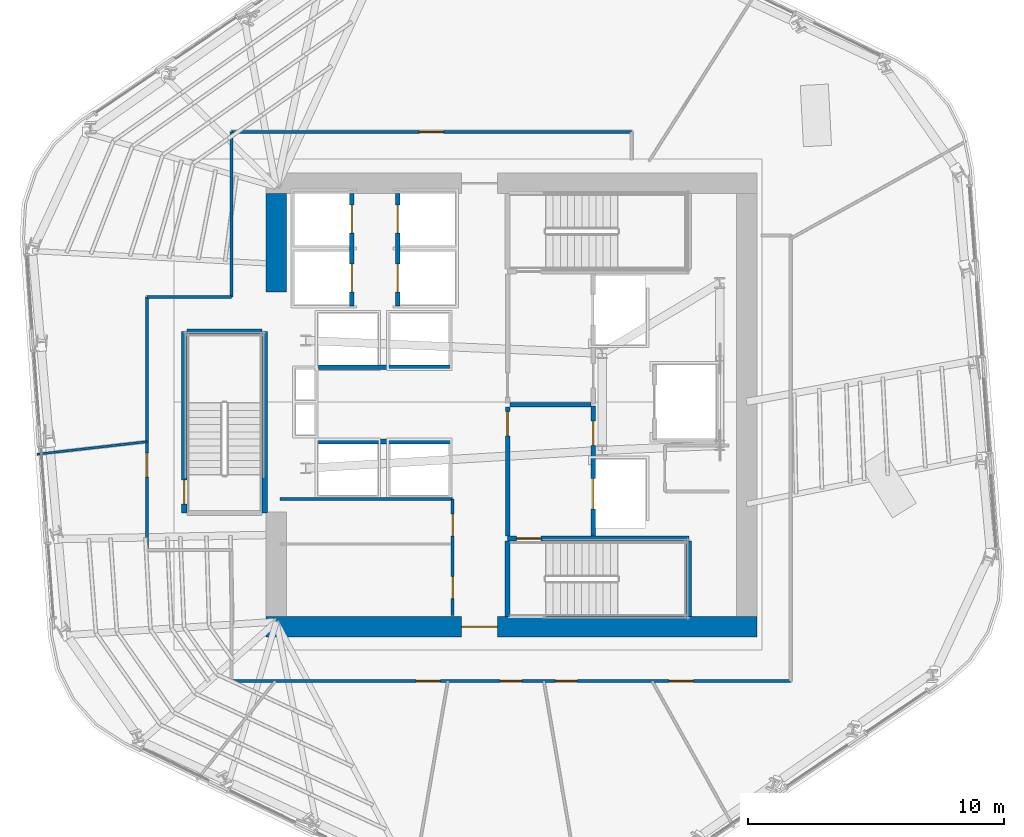
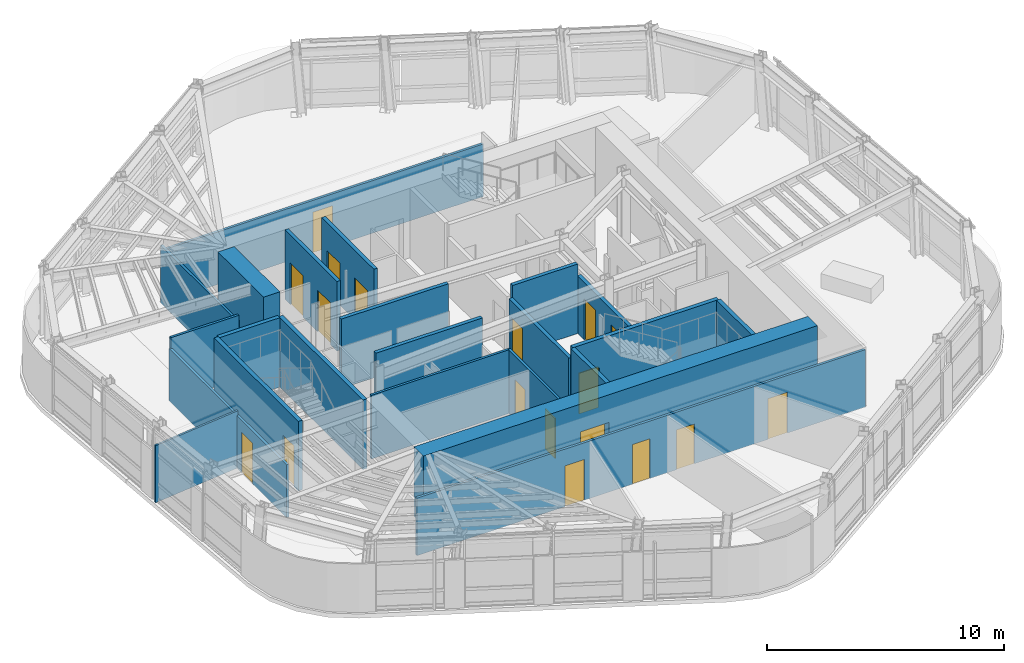
# One storey, part 8 of 15: 23 walls, 18 doors, 18 openings.
"""IFC4 building model written with IfcOpenShell, lengths in metres."""

from ifc_helpers import new_model, si_unit, direction, frame, frame_2d, origin, place, context, subcontext, project, spatial, rectangle, extrude, material, layer, layer_set, type_object, element, fill, save


model = new_model("IFC4")

# Units and contexts
model_context = context("Model", 3, precision=1e-05, world=origin(), true_north=direction((0.0, 1.0)))
body_context = subcontext(model_context, "Body", "Model", "MODEL_VIEW")
ifc_project = project(units=[si_unit("LENGTHUNIT", "METRE"), si_unit("AREAUNIT", "SQUARE_METRE"), si_unit("VOLUMEUNIT", "CUBIC_METRE"), si_unit("PLANEANGLEUNIT", "RADIAN"), si_unit("MASSUNIT", "GRAM", prefix="KILO")], contexts=[model_context])

# Site, building, storey
site_placement = place(None, origin())
site = spatial("IfcSite", under=ifc_project, at=site_placement, CompositionType="ELEMENT")
building_placement = place(site_placement, origin())
building = spatial("IfcBuilding", under=site, at=building_placement, Name="Valkerne Bourse Tower", CompositionType="ELEMENT")
storey_placement = place(building_placement, frame((0.0, 0.0, 170.39990234375)))
storey = spatial("IfcBuildingStorey", under=building, at=storey_placement, Name="L43", CompositionType="ELEMENT", Elevation=170.39990234375)

# Wall, opening, door
ifc_material_1 = material(Name="Concrete C55/67", Category="concrete")
ifc_layer_1 = layer(ifc_material_1, 0.800048828125)
ifc_layer_set_1 = layer_set([ifc_layer_1], Name="Concrete C55/67")
wall_type_1 = type_object("IfcWallType", Name="W-CORE-800", PredefinedType="SHEAR", material=ifc_layer_set_1)
wall_1_placement = place(storey_placement, frame((37.199951171875, 18.199951171875, 0.0), z_axis=(0.0, 0.0, 1.0), x_axis=(1.0, 0.0, 0.0)))
wall_1 = element("IfcWall", 1, at=wall_1_placement, inside=storey, type_object=wall_type_1, Name="L43 Core Shear Wall SOUTH", PredefinedType="SHEAR", context=body_context, shape_type="SweptSolid", body=[
    extrude(rectangle(XDim=19.199951171875, YDim=0.800048828125, at=frame_2d((9.60009765625, 0.0))), origin(), (0.0, 0.0, 1.0), 3.580078125),
])
opening_1_placement = place(wall_1_placement, frame((7.64990234375, 0.0, 0.0)))
opening_1 = element("IfcOpeningElement", 2, at=opening_1_placement, cuts=wall_1, Name="Opening D-PL-1400", PredefinedType="OPENING", context=body_context, shape_type="SweptSolid", body=[
    extrude(rectangle(XDim=1.39990234375, YDim=2.14990234375, at=frame_2d((0.699951171875, 1.074951171875))), frame((0.0, 0.409912109375, 0.0), z_axis=(0.0, -1.0, 0.0), x_axis=(1.0, 0.0, 0.0)), (0.0, 0.0, 1.0), 0.820068359375),
])
ifc_material_2 = material(Name="Galvanised Painted Steel", Category="steel")
door_type_1 = type_object("IfcDoorType", Name="DR-PLT-1400", OperationType="DOUBLE_DOOR_SINGLE_SWING", PredefinedType="DOOR", material=ifc_material_2)
door_1_placement = place(opening_1_placement, origin())
door_1 = element("IfcDoor", 3, at=door_1_placement, inside=storey, type_object=door_type_1, Name="L43 South Passenger Lift Hall Fire Door", OperationType="DOUBLE_DOOR_SINGLE_SWING", OverallHeight=2.14990234375, OverallWidth=1.39990234375, PredefinedType="DOOR", context=body_context, shape_type="SweptSolid", body=[
    extrude(rectangle(XDim=1.39990234375, YDim=2.14990234375, at=frame_2d((0.699951171875, 1.074951171875))), frame((0.0, 0.02490234375, 0.0), z_axis=(0.0, -1.0, 0.0), x_axis=(1.0, 0.0, 0.0)), (0.0, 0.0, 1.0), 0.050048828125),
])
fill(opening_1, door_1)

# Wall
wall_2_placement = place(storey_placement, frame((37.60009765625, 31.300048828125, 0.0), z_axis=(0.0, 0.0, 1.0), x_axis=(0.0, 1.0, 0.0)))
element("IfcWall", 4, at=wall_2_placement, inside=storey, type_object=wall_type_1, Name="L43 Core Shear Wall WEST-N", PredefinedType="SHEAR", context=body_context, shape_type="SweptSolid", body=[
    extrude(rectangle(XDim=3.849853515625, YDim=0.800048828125, at=frame_2d((1.9248046875, 0.0))), origin(), (0.0, 0.0, 1.0), 3.580078125),
])

# Wall, openings, doors
ifc_material_3 = material(Name="Gypsum Board Steel-Stud Partition", Category="steel")
ifc_layer_2 = layer(ifc_material_3, 0.117919921875)
ifc_layer_set_2 = layer_set([ifc_layer_2], Name="Gypsum Board Steel-Stud Partition")
wall_type_2 = type_object("IfcWallType", Name="W-CORR-140", PredefinedType="PARTITIONING", material=ifc_layer_set_2)
wall_3_placement = place(storey_placement, frame((44.5, 18.64990234375, 0.0), z_axis=(0.0, 0.0, 1.0), x_axis=(0.0, 1.0, 0.0)))
wall_3 = element("IfcWall", 5, at=wall_3_placement, inside=storey, type_object=wall_type_2, Name="L43 LV7 Low-Bank East Wall", PredefinedType="PARTITIONING", context=body_context, shape_type="SweptSolid", body=[
    extrude(rectangle(XDim=4.550048828125, YDim=0.117919921875, at=frame_2d((2.27490234375, 0.0))), origin(), (0.0, 0.0, 1.0), 3.280029296875),
])
opening_2_placement = place(wall_3_placement, frame((0.64990234375, 0.0, 0.0)))
opening_2 = element("IfcOpeningElement", 6, at=opening_2_placement, cuts=wall_3, Name="Opening D-WC-900", PredefinedType="OPENING", context=body_context, shape_type="SweptSolid", body=[
    extrude(rectangle(XDim=0.860107421875, YDim=2.050048828125, at=frame_2d((0.43017578125, 1.02490234375))), frame((0.0, 0.06884765625, 0.0), z_axis=(0.0, -1.0, 0.0), x_axis=(1.0, 0.0, 0.0)), (0.0, 0.0, 1.0), 0.137939453125),
])
opening_3_placement = place(wall_3_placement, frame((3.10009765625, 0.0, 0.0)))
opening_3 = element("IfcOpeningElement", 7, at=opening_3_placement, cuts=wall_3, Name="Opening D-WC-900", PredefinedType="OPENING", context=body_context, shape_type="SweptSolid", body=[
    extrude(rectangle(XDim=0.860107421875, YDim=2.050048828125, at=frame_2d((0.43017578125, 1.02490234375))), frame((0.0, 0.06884765625, 0.0), z_axis=(0.0, -1.0, 0.0), x_axis=(1.0, 0.0, 0.0)), (0.0, 0.0, 1.0), 0.137939453125),
])
ifc_material_4 = material(Name="Architectural White Oak Timber", Category="wood")
door_type_2 = type_object("IfcDoorType", Name="DR-WC-900", OperationType="NOTDEFINED", PredefinedType="DOOR", material=ifc_material_4)
door_2_placement = place(opening_2_placement, origin())
door_2 = element("IfcDoor", 8, at=door_2_placement, inside=storey, type_object=door_type_2, Name="L43 Reprographics Office Door", OperationType="SINGLE_SWING_RIGHT", OverallHeight=2.050048828125, OverallWidth=0.860107421875, PredefinedType="DOOR", context=body_context, shape_type="SweptSolid", body=[
    extrude(rectangle(XDim=0.860107421875, YDim=2.050048828125, at=frame_2d((0.43017578125, 1.02490234375))), frame((0.0, 0.02490234375, 0.0), z_axis=(0.0, -1.0, 0.0), x_axis=(1.0, 0.0, 0.0)), (0.0, 0.0, 1.0), 0.050048828125),
])
fill(opening_2, door_2)
door_3_placement = place(opening_3_placement, origin())
door_3 = element("IfcDoor", 9, at=door_3_placement, inside=storey, type_object=door_type_2, Name="L43 First Aid Clinic Door", OperationType="SINGLE_SWING_RIGHT", OverallHeight=2.050048828125, OverallWidth=0.860107421875, PredefinedType="DOOR", context=body_context, shape_type="SweptSolid", body=[
    extrude(rectangle(XDim=0.860107421875, YDim=2.050048828125, at=frame_2d((0.43017578125, 1.02490234375))), frame((0.0, 0.02490234375, 0.0), z_axis=(0.0, -1.0, 0.0), x_axis=(1.0, 0.0, 0.0)), (0.0, 0.0, 1.0), 0.050048828125),
])
fill(opening_3, door_3)

# Wall
wall_4_placement = place(storey_placement, frame((37.75, 23.199951171875, 0.0), z_axis=(0.0, 0.0, 1.0), x_axis=(1.0, 0.0, 0.0)))
element("IfcWall", 10, at=wall_4_placement, inside=storey, type_object=wall_type_2, Name="L43 LV7 Low-Bank North Wall", PredefinedType="PARTITIONING", context=body_context, shape_type="SweptSolid", body=[
    extrude(rectangle(XDim=6.75, YDim=0.117919921875, at=frame_2d((3.375, 0.0))), origin(), (0.0, 0.0, 1.0), 3.280029296875),
])

# Wall, opening, door
wall_5_placement = place(storey_placement, frame((32.550048828125, 21.199951171875, 0.0), z_axis=(0.0, 0.0, 1.0), x_axis=(0.0, 1.0, 0.0)))
wall_5 = element("IfcWall", 11, at=wall_5_placement, inside=storey, type_object=wall_type_2, Name="L43 Corridor Enclosure Wall", PredefinedType="PARTITIONING", context=body_context, shape_type="SweptSolid", body=[
    extrude(rectangle(XDim=9.900146484375, YDim=0.117919921875, at=frame_2d((4.9501953125, 0.0))), origin(), (0.0, 0.0, 1.0), 2.711669921875),
])
opening_4_placement = place(wall_5_placement, frame((2.85498046875, 0.0, 0.0)))
opening_4 = element("IfcOpeningElement", 12, at=opening_4_placement, cuts=wall_5, Name="Opening D-OF-950", PredefinedType="OPENING", context=body_context, shape_type="SweptSolid", body=[
    extrude(rectangle(XDim=0.949951171875, YDim=2.10009765625, at=frame_2d((0.47509765625, 1.050048828125))), frame((0.0, 0.06884765625, 0.0), z_axis=(0.0, -1.0, 0.0), x_axis=(1.0, 0.0, 0.0)), (0.0, 0.0, 1.0), 0.137939453125),
])
door_type_3 = type_object("IfcDoorType", Name="DR-OFF-950", OperationType="NOTDEFINED", PredefinedType="DOOR", material=ifc_material_4)
door_4_placement = place(opening_4_placement, origin())
door_4 = element("IfcDoor", 13, at=door_4_placement, inside=storey, type_object=door_type_3, Name="L43 L43 Hospitality Catering Kitchen 4 Door", OperationType="SINGLE_SWING_LEFT", OverallHeight=2.10009765625, OverallWidth=0.949951171875, PredefinedType="DOOR", context=body_context, shape_type="SweptSolid", body=[
    extrude(rectangle(XDim=0.949951171875, YDim=2.10009765625, at=frame_2d((0.47509765625, 1.050048828125))), frame((0.0, 0.02490234375, 0.0), z_axis=(0.0, -1.0, 0.0), x_axis=(1.0, 0.0, 0.0)), (0.0, 0.0, 1.0), 0.050048828125),
])
fill(opening_4, door_4)

# Walls
wall_6_placement = place(storey_placement, frame((32.550048828125, 31.10009765625, 0.0), z_axis=(0.0, 0.0, 1.0), x_axis=(1.0, 0.0, 0.0)))
element("IfcWall", 14, at=wall_6_placement, inside=storey, type_object=wall_type_2, Name="L43 Corridor Enclosure Wall", PredefinedType="PARTITIONING", context=body_context, shape_type="SweptSolid", body=[
    extrude(rectangle(XDim=3.300048828125, YDim=0.117919921875, at=frame_2d((1.64990234375, 0.0))), origin(), (0.0, 0.0, 1.0), 3.280029296875),
])
wall_7_placement = place(storey_placement, frame((35.85009765625, 31.10009765625, 0.0), z_axis=(0.0, 0.0, 1.0), x_axis=(0.0, 1.0, 0.0)))
element("IfcWall", 15, at=wall_7_placement, inside=storey, type_object=wall_type_2, Name="L43 Corridor Enclosure Wall", PredefinedType="PARTITIONING", context=body_context, shape_type="SweptSolid", body=[
    extrude(rectangle(XDim=6.4599609375, YDim=0.117919921875, at=frame_2d((3.22998046875, 0.0))), origin(), (0.0, 0.0, 1.0), 2.962890625),
])

# Wall, opening, door
wall_8_placement = place(storey_placement, frame((35.85009765625, 37.56005859375, 0.0), z_axis=(0.0, 0.0, 1.0), x_axis=(1.0, 0.0, 0.0)))
wall_8 = element("IfcWall", 16, at=wall_8_placement, inside=storey, type_object=wall_type_2, Name="L43 Corridor Enclosure Wall", PredefinedType="PARTITIONING", context=body_context, shape_type="SweptSolid", body=[
    extrude(rectangle(XDim=15.64990234375, YDim=0.117919921875, at=frame_2d((7.824951171875, 0.0))), origin(), (0.0, 0.0, 1.0), 2.711669921875),
])
opening_5_placement = place(wall_8_placement, frame((7.35009765625, 0.0, 0.0)))
opening_5 = element("IfcOpeningElement", 17, at=opening_5_placement, cuts=wall_8, Name="Opening D-OF-950", PredefinedType="OPENING", context=body_context, shape_type="SweptSolid", body=[
    extrude(rectangle(XDim=0.949951171875, YDim=2.10009765625, at=frame_2d((0.47509765625, 1.050048828125))), frame((0.0, 0.06884765625, 0.0), z_axis=(0.0, -1.0, 0.0), x_axis=(1.0, 0.0, 0.0)), (0.0, 0.0, 1.0), 0.137939453125),
])
door_5_placement = place(opening_5_placement, origin())
door_5 = element("IfcDoor", 18, at=door_5_placement, inside=storey, type_object=door_type_3, Name="L43 L43 Occupational Wellness Clinic 7 Door", OperationType="SINGLE_SWING_RIGHT", OverallHeight=2.10009765625, OverallWidth=0.949951171875, PredefinedType="DOOR", context=body_context, shape_type="SweptSolid", body=[
    extrude(rectangle(XDim=0.949951171875, YDim=2.10009765625, at=frame_2d((0.47509765625, 1.050048828125))), frame((0.0, 0.02490234375, 0.0), z_axis=(0.0, -1.0, 0.0), x_axis=(1.0, 0.0, 0.0)), (0.0, 0.0, 1.0), 0.050048828125),
])
fill(opening_5, door_5)

# Wall, openings, doors
wall_9_placement = place(storey_placement, frame((57.719970703125, 16.080078125, 0.0), z_axis=(0.0, 0.0, 1.0), x_axis=(-1.0, 0.0, 0.0)))
wall_9 = element("IfcWall", 19, at=wall_9_placement, inside=storey, type_object=wall_type_2, Name="L43 Corridor Enclosure Wall", PredefinedType="PARTITIONING", context=body_context, shape_type="SweptSolid", body=[
    extrude(rectangle(XDim=21.869873046875, YDim=0.117919921875, at=frame_2d((10.93505859375, 0.0))), origin(), (0.0, 0.0, 1.0), 2.962890625),
])
opening_6_placement = place(wall_9_placement, frame((8.344970703125, 0.0, 0.0)))
opening_6 = element("IfcOpeningElement", 20, at=opening_6_placement, cuts=wall_9, Name="Opening D-WC-900", PredefinedType="OPENING", context=body_context, shape_type="SweptSolid", body=[
    extrude(rectangle(XDim=0.860107421875, YDim=2.050048828125, at=frame_2d((0.43017578125, 1.02490234375))), frame((0.0, 0.06884765625, 0.0), z_axis=(0.0, -1.0, 0.0), x_axis=(1.0, 0.0, 0.0)), (0.0, 0.0, 1.0), 0.137939453125),
])
opening_7_placement = place(wall_9_placement, frame((10.5048828125, 0.0, 0.0)))
opening_7 = element("IfcOpeningElement", 21, at=opening_7_placement, cuts=wall_9, Name="Opening D-WC-900", PredefinedType="OPENING", context=body_context, shape_type="SweptSolid", body=[
    extrude(rectangle(XDim=0.860107421875, YDim=2.050048828125, at=frame_2d((0.43017578125, 1.02490234375))), frame((0.0, 0.06884765625, 0.0), z_axis=(0.0, -1.0, 0.0), x_axis=(1.0, 0.0, 0.0)), (0.0, 0.0, 1.0), 0.137939453125),
])
opening_8_placement = place(wall_9_placement, frame((13.699951171875, 0.0, 0.0)))
opening_8 = element("IfcOpeningElement", 22, at=opening_8_placement, cuts=wall_9, Name="Opening D-OF-950", PredefinedType="OPENING", context=body_context, shape_type="SweptSolid", body=[
    extrude(rectangle(XDim=0.949951171875, YDim=2.10009765625, at=frame_2d((0.47509765625, 1.050048828125))), frame((0.0, 0.06884765625, 0.0), z_axis=(0.0, -1.0, 0.0), x_axis=(1.0, 0.0, 0.0)), (0.0, 0.0, 1.0), 0.137939453125),
])
opening_9_placement = place(wall_9_placement, frame((3.800048828125, 0.0, 0.0)))
opening_9 = element("IfcOpeningElement", 23, at=opening_9_placement, cuts=wall_9, Name="Opening D-OF-950", PredefinedType="OPENING", context=body_context, shape_type="SweptSolid", body=[
    extrude(rectangle(XDim=0.949951171875, YDim=2.10009765625, at=frame_2d((0.47509765625, 1.050048828125))), frame((0.0, 0.06884765625, 0.0), z_axis=(0.0, -1.0, 0.0), x_axis=(1.0, 0.0, 0.0)), (0.0, 0.0, 1.0), 0.137939453125),
])
door_6_placement = place(opening_8_placement, origin())
door_6 = element("IfcDoor", 24, at=door_6_placement, inside=storey, type_object=door_type_3, Name="L43 L43 Hospitality Catering Kitchen 3 Door", OperationType="SINGLE_SWING_LEFT", OverallHeight=2.10009765625, OverallWidth=0.949951171875, PredefinedType="DOOR", context=body_context, shape_type="SweptSolid", body=[
    extrude(rectangle(XDim=0.949951171875, YDim=2.10009765625, at=frame_2d((0.47509765625, 1.050048828125))), frame((0.0, 0.02490234375, 0.0), z_axis=(0.0, -1.0, 0.0), x_axis=(1.0, 0.0, 0.0)), (0.0, 0.0, 1.0), 0.050048828125),
])
fill(opening_8, door_6)
door_7_placement = place(opening_9_placement, origin())
door_7 = element("IfcDoor", 25, at=door_7_placement, inside=storey, type_object=door_type_3, Name="L43 L43 Executive Advisory Suite Office 6 Door", OperationType="SINGLE_SWING_LEFT", OverallHeight=2.10009765625, OverallWidth=0.949951171875, PredefinedType="DOOR", context=body_context, shape_type="SweptSolid", body=[
    extrude(rectangle(XDim=0.949951171875, YDim=2.10009765625, at=frame_2d((0.47509765625, 1.050048828125))), frame((0.0, 0.02490234375, 0.0), z_axis=(0.0, -1.0, 0.0), x_axis=(1.0, 0.0, 0.0)), (0.0, 0.0, 1.0), 0.050048828125),
])
fill(opening_9, door_7)
door_8_placement = place(opening_6_placement, origin())
door_8 = element("IfcDoor", 26, at=door_8_placement, inside=storey, type_object=door_type_2, Name="L43 L43 Men Bathroom WC 1 Door", OperationType="SINGLE_SWING_LEFT", OverallHeight=2.050048828125, OverallWidth=0.860107421875, PredefinedType="DOOR", context=body_context, shape_type="SweptSolid", body=[
    extrude(rectangle(XDim=0.860107421875, YDim=2.050048828125, at=frame_2d((0.43017578125, 1.02490234375))), frame((0.0, 0.02490234375, 0.0), z_axis=(0.0, -1.0, 0.0), x_axis=(1.0, 0.0, 0.0)), (0.0, 0.0, 1.0), 0.050048828125),
])
fill(opening_6, door_8)
door_9_placement = place(opening_7_placement, origin())
door_9 = element("IfcDoor", 27, at=door_9_placement, inside=storey, type_object=door_type_2, Name="L43 L43 Women Restroom & Shower WC 2 Door", OperationType="SINGLE_SWING_LEFT", OverallHeight=2.050048828125, OverallWidth=0.860107421875, PredefinedType="DOOR", context=body_context, shape_type="SweptSolid", body=[
    extrude(rectangle(XDim=0.860107421875, YDim=2.050048828125, at=frame_2d((0.43017578125, 1.02490234375))), frame((0.0, 0.02490234375, 0.0), z_axis=(0.0, -1.0, 0.0), x_axis=(1.0, 0.0, 0.0)), (0.0, 0.0, 1.0), 0.050048828125),
])
fill(opening_7, door_9)

# Wall
ifc_material_5 = material(Name="Gypsum Fire-Rated Shaftwall", Category="gypsum")
ifc_layer_3 = layer(ifc_material_5, 0.179931640625)
ifc_layer_set_3 = layer_set([ifc_layer_3], Name="Gypsum Fire-Rated Shaftwall")
wall_type_3 = type_object("IfcWallType", Name="W-FSAE-180", PredefinedType="PARTITIONING", material=ifc_layer_set_3)
wall_10_placement = place(storey_placement, frame((46.739990234375, 26.8798828125, 0.0), z_axis=(0.0, 0.0, 1.0), x_axis=(1.0, 0.0, 0.0)))
element("IfcWall", 28, at=wall_10_placement, inside=storey, type_object=wall_type_3, Name="L43 FSAE-1/2 Lobby Dividing Fire Wall", PredefinedType="PARTITIONING", context=body_context, shape_type="SweptSolid", body=[
    extrude(rectangle(XDim=3.169921875, YDim=0.179931640625, at=frame_2d((1.5849609375, 0.0))), origin(), (0.0, 0.0, 1.0), 3.580078125),
])

# Wall, opening, door
wall_11_placement = place(storey_placement, frame((46.64990234375, 21.75, 0.0), z_axis=(0.0, 0.0, 1.0), x_axis=(0.0, 1.0, 0.0)))
wall_11 = element("IfcWall", 29, at=wall_11_placement, inside=storey, type_object=wall_type_3, Name="L43 FSAE-1 Lobby West Fire Wall", PredefinedType="PARTITIONING", context=body_context, shape_type="SweptSolid", body=[
    extrude(rectangle(XDim=5.050048828125, YDim=0.179931640625, at=frame_2d((2.52490234375, 0.0))), origin(), (0.0, 0.0, 1.0), 2.9580078125),
])
opening_10_placement = place(wall_11_placement, frame((3.919921875, 0.0, 0.0)))
opening_10 = element("IfcOpeningElement", 30, at=opening_10_placement, cuts=wall_11, Name="Opening D-FS-950", PredefinedType="OPENING", context=body_context, shape_type="SweptSolid", body=[
    extrude(rectangle(XDim=0.949951171875, YDim=2.10009765625, at=frame_2d((0.47509765625, 1.050048828125))), frame((0.0, 0.099853515625, 0.0), z_axis=(0.0, -1.0, 0.0), x_axis=(1.0, 0.0, 0.0)), (0.0, 0.0, 1.0), 0.199951171875),
])
door_type_4 = type_object("IfcDoorType", Name="DR-FSAE-950", OperationType="NOTDEFINED", PredefinedType="DOOR", material=ifc_material_2)
door_10_placement = place(opening_10_placement, origin())
door_10 = element("IfcDoor", 31, at=door_10_placement, inside=storey, type_object=door_type_4, Name="L43 FSAE-1 Hall Link Fire Door", OperationType="SINGLE_SWING_RIGHT", OverallHeight=2.10009765625, OverallWidth=0.949951171875, PredefinedType="DOOR", context=body_context, shape_type="SweptSolid", body=[
    extrude(rectangle(XDim=0.949951171875, YDim=2.10009765625, at=frame_2d((0.47509765625, 1.050048828125))), frame((0.0, 0.02490234375, 0.0), z_axis=(0.0, -1.0, 0.0), x_axis=(1.0, 0.0, 0.0)), (0.0, 0.0, 1.0), 0.050048828125),
])
fill(opening_10, door_10)

# Wall, openings, doors
wall_12_placement = place(storey_placement, frame((50.0, 21.75, 0.0), z_axis=(0.0, 0.0, 1.0), x_axis=(0.0, 1.0, 0.0)))
wall_12 = element("IfcWall", 32, at=wall_12_placement, inside=storey, type_object=wall_type_3, Name="L43 FSAE-1 Lobby & Shaft Front Wall", PredefinedType="PARTITIONING", context=body_context, shape_type="SweptSolid", body=[
    extrude(rectangle(XDim=5.090087890625, YDim=0.179931640625, at=frame_2d((2.544921875, 0.0))), origin(), (0.0, 0.0, 1.0), 2.9580078125),
])
opening_11_placement = place(wall_12_placement, frame((1.050048828125, 0.0, 0.0)))
opening_11 = element("IfcOpeningElement", 33, at=opening_11_placement, cuts=wall_12, Name="Opening LD-1200", PredefinedType="OPENING", context=body_context, shape_type="SweptSolid", body=[
    extrude(rectangle(XDim=1.199951171875, YDim=2.14990234375, at=frame_2d((0.60009765625, 1.074951171875))), frame((0.0, 0.099853515625, 0.0), z_axis=(0.0, -1.0, 0.0), x_axis=(1.0, 0.0, 0.0)), (0.0, 0.0, 1.0), 0.199951171875),
])
opening_12_placement = place(wall_12_placement, frame((3.550048828125, 0.0, 0.0)))
opening_12 = element("IfcOpeningElement", 34, at=opening_12_placement, cuts=wall_12, Name="Opening D-FS-950", PredefinedType="OPENING", context=body_context, shape_type="SweptSolid", body=[
    extrude(rectangle(XDim=0.949951171875, YDim=2.10009765625, at=frame_2d((0.47509765625, 1.050048828125))), frame((0.0, 0.099853515625, 0.0), z_axis=(0.0, -1.0, 0.0), x_axis=(1.0, 0.0, 0.0)), (0.0, 0.0, 1.0), 0.199951171875),
])
door_11_placement = place(opening_12_placement, origin())
door_11 = element("IfcDoor", 35, at=door_11_placement, inside=storey, type_object=door_type_4, Name="L43 FSAE-1 Lobby Corridor Fire Door", OperationType="SINGLE_SWING_RIGHT", OverallHeight=2.10009765625, OverallWidth=0.949951171875, PredefinedType="DOOR", context=body_context, shape_type="SweptSolid", body=[
    extrude(rectangle(XDim=0.949951171875, YDim=2.10009765625, at=frame_2d((0.47509765625, 1.050048828125))), frame((0.0, 0.02490234375, 0.0), z_axis=(0.0, -1.0, 0.0), x_axis=(1.0, 0.0, 0.0)), (0.0, 0.0, 1.0), 0.050048828125),
])
fill(opening_12, door_11)
ifc_material_6 = material(Name="Stainless Steel AISI 316", Category="steel")
door_type_5 = type_object("IfcDoorType", Name="DR-LIFT-1200", OperationType="DOUBLE_DOOR_SLIDING", PredefinedType="DOOR", material=ifc_material_6)
door_12_placement = place(opening_11_placement, origin())
door_12 = element("IfcDoor", 36, at=door_12_placement, inside=storey, type_object=door_type_5, Name="L43 FSAE-1 Firefighting Lift Landing Door", OperationType="DOUBLE_DOOR_SLIDING", OverallHeight=2.14990234375, OverallWidth=1.199951171875, PredefinedType="DOOR", context=body_context, shape_type="SweptSolid", body=[
    extrude(rectangle(XDim=1.199951171875, YDim=2.14990234375, at=frame_2d((0.60009765625, 1.074951171875))), frame((0.0, 0.02490234375, 0.0), z_axis=(0.0, -1.0, 0.0), x_axis=(1.0, 0.0, 0.0)), (0.0, 0.0, 1.0), 0.050048828125),
])
fill(opening_11, door_12)

ifc_material_7 = material(Name="CMU Blockwork Masonry 200mm", Category="masonry")
ifc_layer_4 = layer(ifc_material_7, 0.179931640625)
ifc_layer_set_4 = layer_set([ifc_layer_4], Name="CMU Blockwork Masonry 200mm")
wall_type_4 = type_object("IfcWallType", Name="W-LFT-180", PredefinedType="SOLIDWALL", material=ifc_layer_set_4)
wall_13_placement = place(storey_placement, frame((40.550048828125, 30.75, 0.0), z_axis=(0.0, 0.0, 1.0), x_axis=(0.0, 1.0, 0.0)))
wall_13 = element("IfcWall", 37, at=wall_13_placement, inside=storey, type_object=wall_type_4, Name="L43 Mid-Zone West Cars Front Wall", PredefinedType="SOLIDWALL", context=body_context, shape_type="SweptSolid", body=[
    extrude(rectangle(XDim=4.39990234375, YDim=0.179931640625, at=frame_2d((2.199951171875, 0.0))), origin(), (0.0, 0.0, 1.0), 3.580078125),
])
opening_13_placement = place(wall_13_placement, frame((0.550048828125, 0.0, 0.0)))
opening_13 = element("IfcOpeningElement", 38, at=opening_13_placement, cuts=wall_13, Name="Opening LD-1100", PredefinedType="OPENING", context=body_context, shape_type="SweptSolid", body=[
    extrude(rectangle(XDim=1.10009765625, YDim=2.14990234375, at=frame_2d((0.550048828125, 1.074951171875))), frame((0.0, 0.099853515625, 0.0), z_axis=(0.0, -1.0, 0.0), x_axis=(1.0, 0.0, 0.0)), (0.0, 0.0, 1.0), 0.199951171875),
])
opening_14_placement = place(wall_13_placement, frame((2.85009765625, 0.0, 0.0)))
opening_14 = element("IfcOpeningElement", 39, at=opening_14_placement, cuts=wall_13, Name="Opening LD-1100", PredefinedType="OPENING", context=body_context, shape_type="SweptSolid", body=[
    extrude(rectangle(XDim=1.10009765625, YDim=2.14990234375, at=frame_2d((0.550048828125, 1.074951171875))), frame((0.0, 0.099853515625, 0.0), z_axis=(0.0, -1.0, 0.0), x_axis=(1.0, 0.0, 0.0)), (0.0, 0.0, 1.0), 0.199951171875),
])
door_type_6 = type_object("IfcDoorType", Name="DR-LIFT-1100", OperationType="DOUBLE_DOOR_SLIDING", PredefinedType="DOOR", material=ifc_material_6)
door_13_placement = place(opening_13_placement, origin())
door_13 = element("IfcDoor", 40, at=door_13_placement, inside=storey, type_object=door_type_6, Name="L43 Passenger Lift PL-M1 Sliding Landing Door", OperationType="DOUBLE_DOOR_SLIDING", OverallHeight=2.14990234375, OverallWidth=1.10009765625, PredefinedType="DOOR", context=body_context, shape_type="SweptSolid", body=[
    extrude(rectangle(XDim=1.10009765625, YDim=2.14990234375, at=frame_2d((0.550048828125, 1.074951171875))), frame((0.0, 0.02490234375, 0.0), z_axis=(0.0, -1.0, 0.0), x_axis=(1.0, 0.0, 0.0)), (0.0, 0.0, 1.0), 0.050048828125),
])
fill(opening_13, door_13)
door_14_placement = place(opening_14_placement, origin())
door_14 = element("IfcDoor", 41, at=door_14_placement, inside=storey, type_object=door_type_6, Name="L43 Passenger Lift PL-M2 Sliding Landing Door", OperationType="DOUBLE_DOOR_SLIDING", OverallHeight=2.14990234375, OverallWidth=1.10009765625, PredefinedType="DOOR", context=body_context, shape_type="SweptSolid", body=[
    extrude(rectangle(XDim=1.10009765625, YDim=2.14990234375, at=frame_2d((0.550048828125, 1.074951171875))), frame((0.0, 0.02490234375, 0.0), z_axis=(0.0, -1.0, 0.0), x_axis=(1.0, 0.0, 0.0)), (0.0, 0.0, 1.0), 0.050048828125),
])
fill(opening_14, door_14)

wall_14_placement = place(storey_placement, frame((42.35009765625, 30.75, 0.0), z_axis=(0.0, 0.0, 1.0), x_axis=(0.0, 1.0, 0.0)))
wall_14 = element("IfcWall", 42, at=wall_14_placement, inside=storey, type_object=wall_type_4, Name="L43 Mid-Zone East Cars Front Wall", PredefinedType="SOLIDWALL", context=body_context, shape_type="SweptSolid", body=[
    extrude(rectangle(XDim=4.39990234375, YDim=0.179931640625, at=frame_2d((2.199951171875, 0.0))), origin(), (0.0, 0.0, 1.0), 3.580078125),
])
opening_15_placement = place(wall_14_placement, frame((0.550048828125, 0.0, 0.0)))
opening_15 = element("IfcOpeningElement", 43, at=opening_15_placement, cuts=wall_14, Name="Opening LD-1100", PredefinedType="OPENING", context=body_context, shape_type="SweptSolid", body=[
    extrude(rectangle(XDim=1.10009765625, YDim=2.14990234375, at=frame_2d((0.550048828125, 1.074951171875))), frame((0.0, 0.099853515625, 0.0), z_axis=(0.0, -1.0, 0.0), x_axis=(1.0, 0.0, 0.0)), (0.0, 0.0, 1.0), 0.199951171875),
])
opening_16_placement = place(wall_14_placement, frame((2.85009765625, 0.0, 0.0)))
opening_16 = element("IfcOpeningElement", 44, at=opening_16_placement, cuts=wall_14, Name="Opening LD-1100", PredefinedType="OPENING", context=body_context, shape_type="SweptSolid", body=[
    extrude(rectangle(XDim=1.10009765625, YDim=2.14990234375, at=frame_2d((0.550048828125, 1.074951171875))), frame((0.0, 0.099853515625, 0.0), z_axis=(0.0, -1.0, 0.0), x_axis=(1.0, 0.0, 0.0)), (0.0, 0.0, 1.0), 0.199951171875),
])
door_15_placement = place(opening_15_placement, origin())
door_15 = element("IfcDoor", 45, at=door_15_placement, inside=storey, type_object=door_type_6, Name="L43 Passenger Lift PL-M3 Sliding Landing Door", OperationType="DOUBLE_DOOR_SLIDING", OverallHeight=2.14990234375, OverallWidth=1.10009765625, PredefinedType="DOOR", context=body_context, shape_type="SweptSolid", body=[
    extrude(rectangle(XDim=1.10009765625, YDim=2.14990234375, at=frame_2d((0.550048828125, 1.074951171875))), frame((0.0, 0.02490234375, 0.0), z_axis=(0.0, -1.0, 0.0), x_axis=(1.0, 0.0, 0.0)), (0.0, 0.0, 1.0), 0.050048828125),
])
fill(opening_15, door_15)
door_16_placement = place(opening_16_placement, origin())
door_16 = element("IfcDoor", 46, at=door_16_placement, inside=storey, type_object=door_type_6, Name="L43 Passenger Lift PL-M4 Sliding Landing Door", OperationType="DOUBLE_DOOR_SLIDING", OverallHeight=2.14990234375, OverallWidth=1.10009765625, PredefinedType="DOOR", context=body_context, shape_type="SweptSolid", body=[
    extrude(rectangle(XDim=1.10009765625, YDim=2.14990234375, at=frame_2d((0.550048828125, 1.074951171875))), frame((0.0, 0.02490234375, 0.0), z_axis=(0.0, -1.0, 0.0), x_axis=(1.0, 0.0, 0.0)), (0.0, 0.0, 1.0), 0.050048828125),
])
fill(opening_16, door_16)

# Walls
for number, where, z_axis, x_axis, name in (
    (47, (39.25, 25.449951171875, 0.0), (0.0, 0.0, 1.0), (1.0, 0.0, 0.0), "L43 High-Zone South Cars Front Wall"),
    (48, (39.25, 28.35009765625, 0.0), (0.0, 0.0, 1.0), (1.0, 0.0, 0.0), "L43 High-Zone North Cars Front Wall"),
):
    element("IfcWall", number, at=place(storey_placement, frame(where, z_axis=z_axis, x_axis=x_axis)), inside=storey, type_object=wall_type_4, Name=name, PredefinedType="SOLIDWALL", context=body_context, shape_type="SweptSolid", body=[
        extrude(rectangle(XDim=5.199951171875, YDim=0.179931640625, at=frame_2d((2.60009765625, 0.0))), origin(), (0.0, 0.0, 1.0), 3.580078125),
    ])
ifc_layer_5 = layer(ifc_material_3, 0.092041015625)
ifc_layer_set_5 = layer_set([ifc_layer_5], Name="Gypsum Board Steel-Stud Partition")
wall_type_5 = type_object("IfcWallType", Name="W-PART-115", PredefinedType="PARTITIONING", material=ifc_layer_set_5)
wall_15_placement = place(storey_placement, frame((32.544921875, 25.441162109375, 0.0), z_axis=(0.0, 0.0, 1.0), x_axis=(-0.993546475048, -0.113425755095, 0.0)))
element("IfcWall", 49, at=wall_15_placement, inside=storey, type_object=wall_type_5, Name="L43 Suite Partition P06", PredefinedType="PARTITIONING", context=body_context, shape_type="SweptSolid", body=[
    extrude(rectangle(XDim=4.33056640625, YDim=0.092041015625, at=frame_2d((2.165283203125, 0.0))), origin(), (0.0, 0.0, 1.0), 2.942626953125),
])

# Wall, opening, door
ifc_material_8 = material(Name="Concrete C40/50", Category="concrete")
ifc_layer_6 = layer(ifc_material_8, 0.199951171875)
ifc_layer_set_6 = layer_set([ifc_layer_6], Name="Concrete C40/50")
wall_type_6 = type_object("IfcWallType", Name="W-SHF-200", PredefinedType="SHEAR", material=ifc_layer_set_6)
wall_16_placement = place(storey_placement, frame((46.64990234375, 21.64990234375, 0.0), z_axis=(0.0, 0.0, 1.0), x_axis=(1.0, 0.0, 0.0)))
wall_16 = element("IfcWall", 50, at=wall_16_placement, inside=storey, type_object=wall_type_6, Name="L43 Exit Stair ST-1 Structural Shaft Wall North", PredefinedType="SHEAR", context=body_context, shape_type="SweptSolid", body=[
    extrude(rectangle(XDim=7.10009765625, YDim=0.199951171875, at=frame_2d((3.550048828125, 0.0))), origin(), (0.0, 0.0, 1.0), 3.580078125),
])
opening_17_placement = place(wall_16_placement, frame((0.35009765625, 0.0, 0.0)))
opening_17 = element("IfcOpeningElement", 51, at=opening_17_placement, cuts=wall_16, Name="Opening D-ST-950", PredefinedType="OPENING", context=body_context, shape_type="SweptSolid", body=[
    extrude(rectangle(XDim=0.949951171875, YDim=2.10009765625, at=frame_2d((0.47509765625, 1.050048828125))), frame((0.0, 0.10986328125, 0.0), z_axis=(0.0, -1.0, 0.0), x_axis=(1.0, 0.0, 0.0)), (0.0, 0.0, 1.0), 0.219970703125),
])
door_type_7 = type_object("IfcDoorType", Name="DR-STAIR-950", OperationType="NOTDEFINED", PredefinedType="DOOR", material=ifc_material_2)
door_17_placement = place(opening_17_placement, origin())
door_17 = element("IfcDoor", 52, at=door_17_placement, inside=storey, type_object=door_type_7, Name="L43 Exit Stair ST-1 Door", OperationType="SINGLE_SWING_LEFT", OverallHeight=2.10009765625, OverallWidth=0.949951171875, PredefinedType="DOOR", context=body_context, shape_type="SweptSolid", body=[
    extrude(rectangle(XDim=0.949951171875, YDim=2.10009765625, at=frame_2d((0.47509765625, 1.050048828125))), frame((0.0, 0.02490234375, 0.0), z_axis=(0.0, -1.0, 0.0), x_axis=(1.0, 0.0, 0.0)), (0.0, 0.0, 1.0), 0.050048828125),
])
fill(opening_17, door_17)

# Walls
for number, where, z_axis, x_axis, name in (
    (53, (46.64990234375, 18.60009765625, 0.0), (0.0, 0.0, 1.0), (0.0, 1.0, 0.0), "L43 Exit Stair ST-1 Structural Shaft Wall West"),
    (54, (53.75, 18.60009765625, 0.0), (0.0, 0.0, 1.0), (0.0, 1.0, 0.0), "L43 Exit Stair ST-1 Structural Shaft Wall East"),
):
    element("IfcWall", number, at=place(storey_placement, frame(where, z_axis=z_axis, x_axis=x_axis)), inside=storey, type_object=wall_type_6, Name=name, PredefinedType="SHEAR", context=body_context, shape_type="SweptSolid", body=[
        extrude(rectangle(XDim=2.949951171875, YDim=0.199951171875, at=frame_2d((1.47509765625, 0.0))), origin(), (0.0, 0.0, 1.0), 3.580078125),
    ])

# Wall, opening, door
wall_17_placement = place(storey_placement, frame((34.0, 22.64990234375, 0.0), z_axis=(0.0, 0.0, 1.0), x_axis=(0.0, 1.0, 0.0)))
wall_17 = element("IfcWall", 55, at=wall_17_placement, inside=storey, type_object=wall_type_6, Name="L43 Exit Stair ST-3 Structural Shaft Wall West", PredefinedType="SHEAR", context=body_context, shape_type="SweptSolid", body=[
    extrude(rectangle(XDim=7.10009765625, YDim=0.199951171875, at=frame_2d((3.550048828125, 0.0))), origin(), (0.0, 0.0, 1.0), 3.580078125),
])
opening_18_placement = place(wall_17_placement, frame((0.35009765625, 0.0, 0.0)))
opening_18 = element("IfcOpeningElement", 56, at=opening_18_placement, cuts=wall_17, Name="Opening D-ST-950", PredefinedType="OPENING", context=body_context, shape_type="SweptSolid", body=[
    extrude(rectangle(XDim=0.949951171875, YDim=2.10009765625, at=frame_2d((0.47509765625, 1.050048828125))), frame((0.0, 0.10986328125, 0.0), z_axis=(0.0, -1.0, 0.0), x_axis=(1.0, 0.0, 0.0)), (0.0, 0.0, 1.0), 0.219970703125),
])
door_18_placement = place(opening_18_placement, origin())
door_18 = element("IfcDoor", 57, at=door_18_placement, inside=storey, type_object=door_type_7, Name="L43 Exit Stair ST-3 Door", OperationType="SINGLE_SWING_RIGHT", OverallHeight=2.10009765625, OverallWidth=0.949951171875, PredefinedType="DOOR", context=body_context, shape_type="SweptSolid", body=[
    extrude(rectangle(XDim=0.949951171875, YDim=2.10009765625, at=frame_2d((0.47509765625, 1.050048828125))), frame((0.0, 0.02490234375, 0.0), z_axis=(0.0, -1.0, 0.0), x_axis=(1.0, 0.0, 0.0)), (0.0, 0.0, 1.0), 0.050048828125),
])
fill(opening_18, door_18)

# Walls
wall_18_placement = place(storey_placement, frame((34.10009765625, 29.75, 0.0), z_axis=(0.0, 0.0, 1.0), x_axis=(1.0, 0.0, 0.0)))
element("IfcWall", 58, at=wall_18_placement, inside=storey, type_object=wall_type_6, Name="L43 Exit Stair ST-3 Structural Shaft Wall North", PredefinedType="SHEAR", context=body_context, shape_type="SweptSolid", body=[
    extrude(rectangle(XDim=2.949951171875, YDim=0.199951171875, at=frame_2d((1.47509765625, 0.0))), origin(), (0.0, 0.0, 1.0), 3.580078125),
])
wall_19_placement = place(storey_placement, frame((37.14990234375, 22.64990234375, 0.0), z_axis=(0.0, 0.0, 1.0), x_axis=(0.0, 1.0, 0.0)))
element("IfcWall", 59, at=wall_19_placement, inside=storey, type_object=wall_type_6, Name="L43 Exit Stair ST-3 Structural Shaft Wall East", PredefinedType="SHEAR", context=body_context, shape_type="SweptSolid", body=[
    extrude(rectangle(XDim=7.10009765625, YDim=0.199951171875, at=frame_2d((3.550048828125, 0.0))), origin(), (0.0, 0.0, 1.0), 3.580078125),
])

save(model, "model.ifc")
